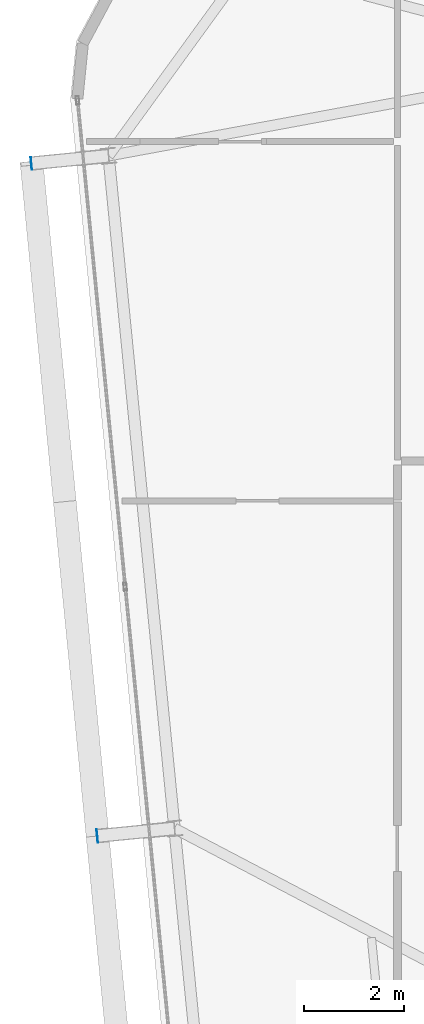
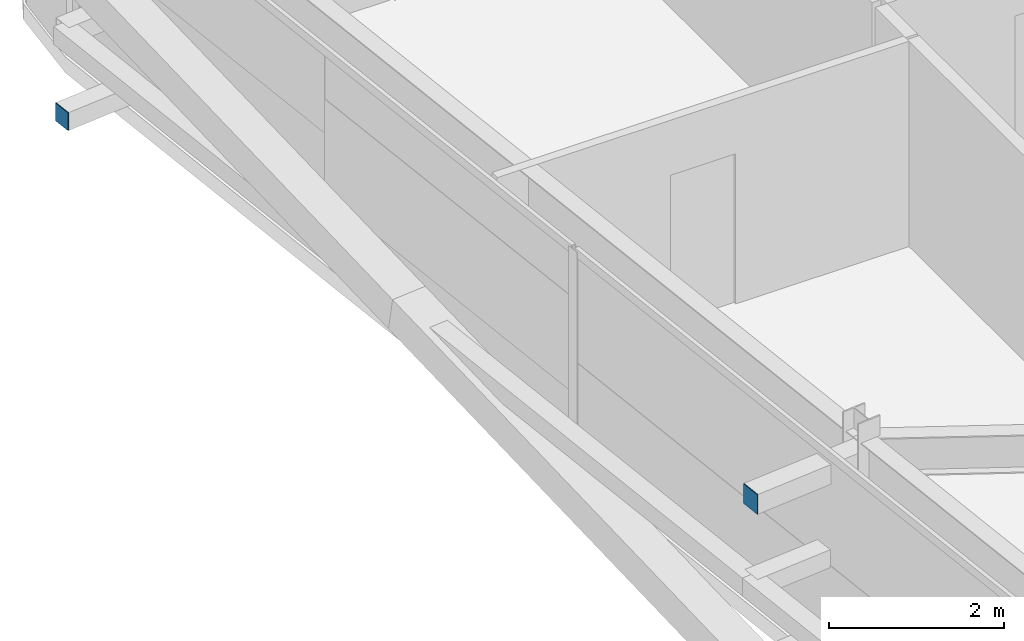
# One storey, part 35 of 47: 2 plates.
"""IFC4 building model written with IfcOpenShell, lengths in metres."""

import ifcopenshell
import ifcopenshell.guid

model = None  # the IFC model being written
_history = None  # IfcOwnerHistory: only IFC2X3 demands one
_inside = {}  # id of a spatial element -> (the spatial element, [elements in it])
_under = {}  # id of a project, library or spatial element -> (it, [spatial elements below it])
_declared = {}  # id of a project -> (the project, [libraries it declares])
_typed = {}  # id of a type object -> (the type object, [elements of that type])
_made_of = {}  # id of a material, layer set ... -> (it, [elements and type objects made of it])


def new_model(schema):
    """Start an empty IFC model of exactly this schema.

    Asked for "IFC4X3", IfcOpenShell would pick the latest addendum, in which some entities
    have other attributes; the version numbers below select the first issue.
    IFC2X3 requires an IfcOwnerHistory on every rooted entity: one is made here for all.
    """
    global model, _history
    if schema == "IFC4X3":
        model = ifcopenshell.file(schema_version=(4, 3, 0, 0))
    else:
        model = ifcopenshell.file(schema=schema)
    _inside.clear()
    _under.clear()
    _declared.clear()
    _typed.clear()
    _made_of.clear()
    _history = None
    if model.schema == "IFC2X3":
        org = make("IfcOrganization", Name="unknown")
        user = make(
            "IfcPersonAndOrganization",
            ThePerson=make("IfcPerson", FamilyName="unknown"),
            TheOrganization=org,
        )
        app = make(
            "IfcApplication",
            ApplicationDeveloper=org,
            Version="unknown",
            ApplicationFullName="unknown",
            ApplicationIdentifier="unknown",
        )
        _history = make(
            "IfcOwnerHistory",
            OwningUser=user,
            OwningApplication=app,
            ChangeAction="ADDED",
            CreationDate=0,
        )
    return model


def make(cls, **values):
    """One entity of the class cls with the attributes given. An attribute that is None is left unset."""
    return model.create_entity(
        cls, **{name: value for name, value in values.items() if value is not None}
    )


def rooted(cls, **values):
    """An entity with a GlobalId (a new one), such as an element, a storey or a relation."""
    return make(cls, GlobalId=ifcopenshell.guid.new(), OwnerHistory=_history, **values)


def si_unit(unit_type, name, prefix=None):
    """IfcSIUnit, for example si_unit("LENGTHUNIT", "METRE", prefix="MILLI")."""
    return make("IfcSIUnit", UnitType=unit_type, Prefix=prefix, Name=name)


def assignment(units):
    """IfcUnitAssignment: the units of a project."""
    return None if units is None else make("IfcUnitAssignment", Units=units)


def point(xyz):
    """IfcCartesianPoint."""
    return None if xyz is None else make("IfcCartesianPoint", Coordinates=xyz)


def direction(xyz):
    """IfcDirection."""
    return None if xyz is None else make("IfcDirection", DirectionRatios=xyz)


def frame(location, z_axis=None, x_axis=None):
    """IfcAxis2Placement3D, a coordinate frame: its origin and axes. An axis left out is left unset."""
    return make(
        "IfcAxis2Placement3D",
        Location=point(location),
        Axis=direction(z_axis),
        RefDirection=direction(x_axis),
    )


def frame_2d(location, x_axis=None):
    """IfcAxis2Placement2D, a coordinate frame in the plane: its origin and x axis."""
    return make(
        "IfcAxis2Placement2D", Location=point(location), RefDirection=direction(x_axis)
    )


def origin():
    """The frame at (0, 0, 0) with its axes left unset."""
    return frame((0.0, 0.0, 0.0))


def origin_2d():
    """The frame at (0, 0) in the plane with its x axis left unset."""
    return frame_2d((0.0, 0.0))


def place(relative_to, where):
    """IfcLocalPlacement: puts the frame where relative to a parent placement (None: the world)."""
    return make(
        "IfcLocalPlacement", PlacementRelTo=relative_to, RelativePlacement=where
    )


def context(
    kind, dimensions, precision=None, world=None, true_north=None, identifier=None
):
    """IfcGeometricRepresentationContext, for example the 3D "Model" context."""
    return make(
        "IfcGeometricRepresentationContext",
        ContextIdentifier=identifier,
        ContextType=kind,
        CoordinateSpaceDimension=dimensions,
        Precision=precision,
        WorldCoordinateSystem=world,
        TrueNorth=true_north,
    )


def subcontext(parent, identifier, kind, view, scale=None):
    """IfcGeometricRepresentationSubContext, for example "Body" below "Model"."""
    return make(
        "IfcGeometricRepresentationSubContext",
        ContextIdentifier=identifier,
        ContextType=kind,
        ParentContext=parent,
        TargetScale=scale,
        TargetView=view,
    )


def project(units=None, contexts=None):
    """IfcProject with its units and contexts."""
    return rooted(
        "IfcProject",
        Name="project",
        RepresentationContexts=contexts,
        UnitsInContext=assignment(units),
    )


def spatial(cls, under=None, at=None, **own):
    """A site, building, storey or space (cls), placed at a placement, below another one or the project."""
    s = rooted(cls, ObjectPlacement=at, **own)
    if under is not None:
        _under.setdefault(under.id(), (under, []))[1].append(s)
    return s


def profile(cls, at=None, kind="AREA", **sizes):
    """A parametric profile (cls). Its sizes go by their IFC names, for example OverallWidth=200.0."""
    return make(cls, ProfileType=kind, Position=at, **sizes)


def rectangle(**sizes):
    """IfcRectangleProfileDef."""
    return profile("IfcRectangleProfileDef", **sizes)


def extrude(swept, where, along, depth):
    """IfcExtrudedAreaSolid: the profile swept, set in the frame where, extruded along a direction by depth."""
    return make(
        "IfcExtrudedAreaSolid",
        SweptArea=swept,
        Position=where,
        ExtrudedDirection=direction(along),
        Depth=depth,
    )


def shape(context_of_items, identifier, shape_type, items):
    """IfcShapeRepresentation: the items that make up one representation, for example the "Body"."""
    return make(
        "IfcShapeRepresentation",
        ContextOfItems=context_of_items,
        RepresentationIdentifier=identifier,
        RepresentationType=shape_type,
        Items=items,
    )


def source(mapping_origin, context_of_items, identifier, shape_type, items):
    """IfcRepresentationMap: a shape defined once, which mapped items show again and again."""
    return make(
        "IfcRepresentationMap",
        MappingOrigin=mapping_origin,
        MappedRepresentation=shape(context_of_items, identifier, shape_type, items),
    )


def transform(
    local_origin,
    x_axis=None,
    y_axis=None,
    z_axis=None,
    scale=None,
    scale2=None,
    scale3=None,
    uniform=True,
):
    """IfcCartesianTransformationOperator3D, or its non-uniform kind. x_axis, y_axis, z_axis: its Axis1, 2, 3."""
    if uniform:
        return make(
            "IfcCartesianTransformationOperator3D",
            Axis1=direction(x_axis),
            Axis2=direction(y_axis),
            LocalOrigin=point(local_origin),
            Scale=scale,
            Axis3=direction(z_axis),
        )
    return make(
        "IfcCartesianTransformationOperator3DnonUniform",
        Axis1=direction(x_axis),
        Axis2=direction(y_axis),
        LocalOrigin=point(local_origin),
        Scale=scale,
        Axis3=direction(z_axis),
        Scale2=scale2,
        Scale3=scale3,
    )


def mapped(mapping_source, mapping_target):
    """IfcMappedItem: shows the shape of a source again, moved by a transform."""
    return make(
        "IfcMappedItem", MappingSource=mapping_source, MappingTarget=mapping_target
    )


def material(Name=None, Category=None):
    """IfcMaterial."""
    return make("IfcMaterial", Name=Name, Category=Category)


def layer(
    of_material, thickness, ventilated=None, Name=None, Category=None, Priority=None
):
    """IfcMaterialLayer: one layer of a wall or slab, of a material (None: an air gap)."""
    return make(
        "IfcMaterialLayer",
        Material=of_material,
        LayerThickness=thickness,
        IsVentilated=ventilated,
        Name=Name,
        Category=Category,
        Priority=Priority,
    )


def layer_set(layers, Name=None):
    """IfcMaterialLayerSet."""
    return make("IfcMaterialLayerSet", MaterialLayers=layers, LayerSetName=Name)


def made_of(thing, what):
    """Note that an element or type object is made of a material, layer set ...; save() writes the relation."""
    if what is not None:
        _made_of.setdefault(what.id(), (what, []))[1].append(thing)
    return thing


def type_object(cls, material=None, **own):
    """A type object (cls), such as IfcWallType, which elements share."""
    return made_of(rooted(cls, **own), material)


def element(
    cls,
    number,
    at=None,
    inside=None,
    cuts=None,
    type_object=None,
    material=None,
    context=None,
    identifier="Body",
    shape_type=None,
    held_by="IfcProductDefinitionShape",
    body=None,
    shapes=None,
    **own,
):
    """One element of the class cls, such as IfcWall. Its Tag is "e" and its number.

    at: its placement. inside: the storey or other place that contains it. cuts: it is an
    opening in that element (IfcRelVoidsElement). A single representation is given by context,
    identifier, shape_type and body (its items); several are given by shapes. held_by: the class
    of the entity that holds the representations. save() writes the other relations.
    """
    e = rooted(cls, Tag="e%d" % number, ObjectPlacement=at, **own)
    if body is not None:
        shapes = [shape(context, identifier, shape_type, body)]
    if shapes is not None:
        e.Representation = make(held_by, Representations=shapes)
    if inside is not None:
        _inside.setdefault(inside.id(), (inside, []))[1].append(e)
    if cuts is not None:
        rooted(
            "IfcRelVoidsElement", RelatingBuildingElement=cuts, RelatedOpeningElement=e
        )
    if type_object is not None:
        _typed.setdefault(type_object.id(), (type_object, []))[1].append(e)
    return made_of(e, material)


def aggregate(whole, parts):
    """IfcRelAggregates: a whole, such as a stair, and the parts it consists of."""
    return rooted("IfcRelAggregates", RelatingObject=whole, RelatedObjects=parts)


def save(model, path):
    """Write the relations noted so far, then the file.

    IfcRelAggregates (storeys below a building ...), IfcRelContainedInSpatialStructure (elements
    in a storey), IfcRelDefinesByType, IfcRelAssociatesMaterial and IfcRelDeclares: one each for
    every whole, place, type object, material and project.
    """
    for whole, parts in _under.values():
        aggregate(whole, parts)
    for where, things in _inside.values():
        rooted(
            "IfcRelContainedInSpatialStructure",
            RelatedElements=things,
            RelatingStructure=where,
        )
    for kind, things in _typed.values():
        rooted("IfcRelDefinesByType", RelatedObjects=things, RelatingType=kind)
    for what, things in _made_of.values():
        rooted("IfcRelAssociatesMaterial", RelatedObjects=things, RelatingMaterial=what)
    for by, libraries in _declared.values():
        rooted("IfcRelDeclares", RelatingContext=by, RelatedDefinitions=libraries)
    model.write(path)


model = new_model("IFC4")

# Units and contexts
model_context = context("Model", 3, precision=1e-05, world=origin(), true_north=direction((0.0, 1.0)))
body_context = subcontext(model_context, "Body", "Model", "MODEL_VIEW")
ifc_project = project(units=[si_unit("LENGTHUNIT", "METRE"), si_unit("AREAUNIT", "SQUARE_METRE"), si_unit("VOLUMEUNIT", "CUBIC_METRE"), si_unit("PLANEANGLEUNIT", "RADIAN"), si_unit("MASSUNIT", "GRAM", prefix="KILO")], contexts=[model_context])

# Site, building, storey
site_placement = place(None, origin())
site = spatial("IfcSite", under=ifc_project, at=site_placement, CompositionType="ELEMENT")
building_placement = place(site_placement, origin())
building = spatial("IfcBuilding", under=site, at=building_placement, Name="Taldren Reach Tower", CompositionType="ELEMENT")
storey_placement = place(building_placement, frame((0.0, 0.0, 109.199951171875)))
storey = spatial("IfcBuildingStorey", under=building, at=storey_placement, Name="L33", CompositionType="ELEMENT", Elevation=109.199951171875)

# Plates
ifc_material_1 = material(Name="Steel Gr 450 (C450L0)", Category="steel")
ifc_layer_1 = layer(ifc_material_1, 0.011962890625)
ifc_layer_set_1 = layer_set([ifc_layer_1], Name="Steel Gr 450 (C450L0)")
plate_type_1 = type_object("IfcPlateType", Name="PL-CAP-275", PredefinedType="SHEET", material=ifc_layer_set_1)
shared_shape_1 = source(origin(), body_context, "Body", "SweptSolid", [
    extrude(rectangle(XDim=0.011962890625, YDim=0.27490234375, at=origin_2d()), origin(), (0.0, 0.0, 1.0), 0.27490234375),
])
plate_1_placement = place(storey_placement, frame((8.58203125, 16.479248046875, 2.45263671875), z_axis=(0.0, 0.0, 1.0), x_axis=(0.995227399982, 0.097582899759, 0.0)))
element("IfcPlate", 1, at=plate_1_placement, inside=storey, type_object=plate_type_1, Name="Tie strut end cap plate B2-W2 L33", PredefinedType="SHEET", context=body_context, shape_type="MappedRepresentation", body=[
    mapped(shared_shape_1, transform((0.0, 0.0, 0.0), scale=1.0)),
])
ifc_material_2 = material(Name="Steel Gr 350 (C350L0)", Category="steel")
ifc_layer_2 = layer(ifc_material_2, 0.011962890625)
ifc_layer_set_2 = layer_set([ifc_layer_2], Name="Steel Gr 350 (C350L0)")
plate_type_2 = type_object("IfcPlateType", Name="PL-CAP-250", PredefinedType="SHEET", material=ifc_layer_set_2)
shared_shape_2 = source(origin(), body_context, "Body", "SweptSolid", [
    extrude(rectangle(XDim=0.011962890625, YDim=0.25, at=origin_2d()), origin(), (0.0, 0.0, 1.0), 0.25),
])
plate_2_placement = place(storey_placement, frame((7.259765625, 29.964599609375, 0.094970703125), z_axis=(0.0, 0.0, 1.0), x_axis=(0.995227399982, 0.097582899759, 0.0)))
element("IfcPlate", 2, at=plate_2_placement, inside=storey, type_object=plate_type_2, Name="Tie strut end cap plate B2-W3 L33", PredefinedType="SHEET", context=body_context, shape_type="MappedRepresentation", body=[
    mapped(shared_shape_2, transform((0.0, 0.0, 0.0), scale=1.0)),
])

save(model, "model.ifc")
